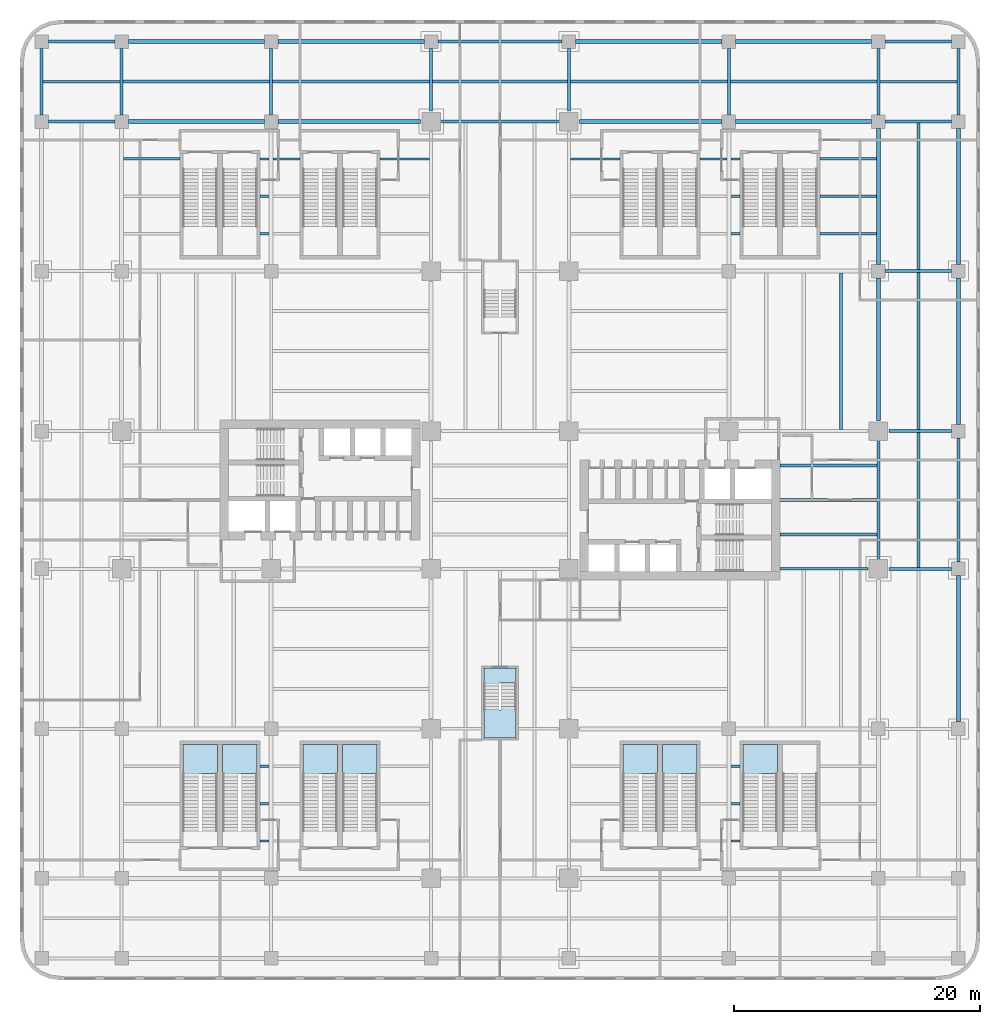
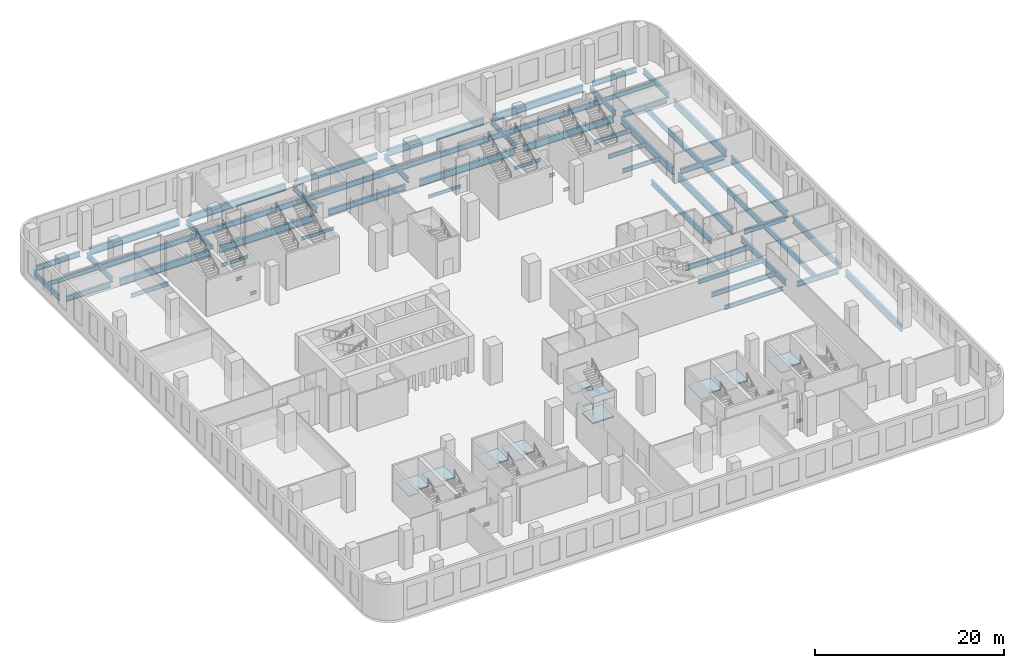
# One storey, part 3 of 17: 67 beams, 10 slabs, 8 elements without a shape of their own.
"""IFC4 building model written with IfcOpenShell, lengths in metres."""

from ifc_helpers import new_model, si_unit, direction, frame, origin, origin_2d, place, context, subcontext, project, spatial, polyline, i_section, outline, extrude, source, transform, mapped, material, layer, layer_set, material_profile, profile_set, type_object, element, aggregate, save


model = new_model("IFC4")

# Units and contexts
model_context = context("Model", 3, precision=1e-05, world=origin(), true_north=direction((0.0, 1.0)))
body_context = subcontext(model_context, "Body", "Model", "MODEL_VIEW")
ifc_project = project(units=[si_unit("LENGTHUNIT", "METRE"), si_unit("AREAUNIT", "SQUARE_METRE"), si_unit("VOLUMEUNIT", "CUBIC_METRE"), si_unit("PLANEANGLEUNIT", "RADIAN"), si_unit("MASSUNIT", "GRAM", prefix="KILO")], contexts=[model_context])

# Site, building, storey
site_placement = place(None, origin())
site = spatial("IfcSite", under=ifc_project, at=site_placement, CompositionType="ELEMENT")
building_placement = place(site_placement, origin())
building = spatial("IfcBuilding", under=site, at=building_placement, Name="Trellis Farm Tower", CompositionType="ELEMENT")
storey_placement = place(building_placement, frame((0.0, 0.0, 19.0)))
storey = spatial("IfcBuildingStorey", under=building, at=storey_placement, Name="L03", CompositionType="ELEMENT", Elevation=19.0)

# Beams
ifc_material_1 = material(Name="Steel S355", Category="steel")
ifc_material_profile_1 = material_profile(ifc_material_1, i_section(OverallWidth=0.2666015625, OverallDepth=0.76220703125, WebThickness=0.014404296875, FlangeThickness=0.021484375, FilletRadius=0.0166015625, at=origin_2d()), Name="UB 762x267x173")
ifc_profile_set_1 = profile_set([ifc_material_profile_1], Name="Steel S355")
beam_type_1 = type_object("IfcBeamType", Name="UB 762x267x173", PredefinedType="BEAM", material=ifc_profile_set_1)
shared_shape_1 = source(origin(), body_context, "Body", "SweptSolid", [
    extrude(i_section(OverallWidth=0.2666015625, OverallDepth=0.76220703125, WebThickness=0.014404296875, FlangeThickness=0.021484375, FilletRadius=0.0166015625, at=origin_2d()), origin(), (0.0, 0.0, 1.0), 9.5),
])
for number, where, z_axis, x_axis, name in (
    (1, (-4.75, 30.75, -0.68115234375), (1.0, 0.0, 0.0), (0.0, 1.0, 0.0), "Girder"),
    (2, (30.75, -4.75, -0.68115234375), (0.0, 1.0, 0.0), (-1.0, 0.0, 0.0), "Girder"),
):
    element("IfcBeam", number, at=place(storey_placement, frame(where, z_axis=z_axis, x_axis=x_axis)), inside=storey, type_object=beam_type_1, Name=name, PredefinedType="BEAM", context=body_context, shape_type="MappedRepresentation", body=[
        mapped(shared_shape_1, transform((0.0, 0.0, 0.0))),
    ])
ifc_material_profile_2 = material_profile(ifc_material_1, i_section(OverallWidth=0.253662109375, OverallDepth=0.68359375, WebThickness=0.012451171875, FlangeThickness=0.021728515625, FilletRadius=0.01513671875, at=origin_2d()), Name="UB 686x254x140")
ifc_profile_set_2 = profile_set([ifc_material_profile_2], Name="Steel S355")
beam_type_2 = type_object("IfcBeamType", Name="UB 686x254x140 joist", PredefinedType="JOIST", material=ifc_profile_set_2)
shared_shape_2 = source(origin(), body_context, "Body", "SweptSolid", [
    extrude(i_section(OverallWidth=0.253662109375, OverallDepth=0.68359375, WebThickness=0.012451171875, FlangeThickness=0.021728515625, FilletRadius=0.01513671875, at=origin_2d()), origin(), (0.0, 0.0, 1.0), 12.746337890625),
])
for number, where, z_axis, x_axis, name in (
    (3, (-18.47314453125, 34.0, -0.641845703125), (1.0, 0.0, 0.0), (0.0, 1.0, 0.0), "Floor beam"),
    (4, (5.726806640625, 34.0, -0.641845703125), (1.0, 0.0, 0.0), (0.0, 1.0, 0.0), "Floor beam"),
    (5, (34.0, 5.726806640625, -0.641845703125), (0.0, 1.0, 0.0), (-1.0, 0.0, 0.0), "Floor beam"),
):
    element("IfcBeam", number, at=place(storey_placement, frame(where, z_axis=z_axis, x_axis=x_axis)), inside=storey, type_object=beam_type_2, Name=name, PredefinedType="JOIST", context=body_context, shape_type="MappedRepresentation", body=[
        mapped(shared_shape_2, transform((0.0, 0.0, 0.0))),
    ])
shared_shape_3 = source(origin(), body_context, "Body", "SweptSolid", [
    extrude(i_section(OverallWidth=0.253662109375, OverallDepth=0.68359375, WebThickness=0.012451171875, FlangeThickness=0.021728515625, FilletRadius=0.01513671875, at=origin_2d()), origin(), (0.0, 0.0, 1.0), 11.896240234375),
])
for number, where, z_axis, x_axis, name in (
    (6, (-30.623046875, 34.0, -0.641845703125), (1.0, 0.0, 0.0), (0.0, 1.0, 0.0), "Floor beam"),
    (7, (18.726806640625, 34.0, -0.641845703125), (1.0, 0.0, 0.0), (0.0, 1.0, 0.0), "Floor beam"),
    (8, (34.0, 18.726806640625, -0.641845703125), (0.0, 1.0, 0.0), (-1.0, 0.0, 0.0), "Floor beam"),
):
    element("IfcBeam", number, at=place(storey_placement, frame(where, z_axis=z_axis, x_axis=x_axis)), inside=storey, type_object=beam_type_2, Name=name, PredefinedType="JOIST", context=body_context, shape_type="MappedRepresentation", body=[
        mapped(shared_shape_3, transform((0.0, 0.0, 0.0))),
    ])
ifc_material_profile_3 = material_profile(ifc_material_1, i_section(OverallWidth=0.209228515625, OverallDepth=0.533203125, WebThickness=0.010009765625, FlangeThickness=0.015625, FilletRadius=0.0126953125, at=origin_2d()), Name="UB 533x210x92")
ifc_profile_set_3 = profile_set([ifc_material_profile_3], Name="Steel S355")
beam_type_3 = type_object("IfcBeamType", Name="UB 533x210x92 joist", PredefinedType="JOIST", material=ifc_profile_set_3)
shared_shape_4 = source(origin(), body_context, "Body", "SweptSolid", [
    extrude(i_section(OverallWidth=0.209228515625, OverallDepth=0.533203125, WebThickness=0.010009765625, FlangeThickness=0.015625, FilletRadius=0.0126953125, at=origin_2d()), origin(), (0.0, 0.0, 1.0), 6.246337890625),
])
for number, where, z_axis, x_axis, name in (
    (9, (-37.123291015625, 34.0, -0.56640625), (1.0, 0.0, 0.0), (0.0, 1.0, 0.0), "Floor beam"),
    (10, (30.876953125, 34.0, -0.56640625), (1.0, 0.0, 0.0), (0.0, 1.0, 0.0), "Floor beam"),
):
    element("IfcBeam", number, at=place(storey_placement, frame(where, z_axis=z_axis, x_axis=x_axis)), inside=storey, type_object=beam_type_3, Name=name, PredefinedType="JOIST", context=body_context, shape_type="MappedRepresentation", body=[
        mapped(shared_shape_4, transform((0.0, 0.0, 0.0))),
    ])
shared_shape_5 = source(origin(), body_context, "Body", "SweptSolid", [
    extrude(i_section(OverallWidth=0.253662109375, OverallDepth=0.68359375, WebThickness=0.012451171875, FlangeThickness=0.021728515625, FilletRadius=0.01513671875, at=origin_2d()), origin(), (0.0, 0.0, 1.0), 10.9462890625),
])
for number, where, z_axis, x_axis, name in (
    (11, (-5.47314453125, 34.0, -0.641845703125), (1.0, 0.0, 0.0), (0.0, 1.0, 0.0), "Floor beam"),
    (12, (34.0, -5.47314453125, -0.641845703125), (0.0, 1.0, 0.0), (-1.0, 0.0, 0.0), "Floor beam"),
):
    element("IfcBeam", number, at=place(storey_placement, frame(where, z_axis=z_axis, x_axis=x_axis)), inside=storey, type_object=beam_type_2, Name=name, PredefinedType="JOIST", context=body_context, shape_type="MappedRepresentation", body=[
        mapped(shared_shape_5, transform((0.0, 0.0, 0.0))),
    ])
ifc_material_profile_4 = material_profile(ifc_material_1, i_section(OverallWidth=0.2275390625, OverallDepth=0.6025390625, WebThickness=0.010498046875, FlangeThickness=0.014892578125, FilletRadius=0.0126953125, at=origin_2d()), Name="UB 610x229x101")
ifc_profile_set_4 = profile_set([ifc_material_profile_4], Name="Steel S355")
beam_type_4 = type_object("IfcBeamType", Name="UB 610x229x101 joist", PredefinedType="JOIST", material=ifc_profile_set_4)
shared_shape_6 = source(origin(), body_context, "Body", "SweptSolid", [
    extrude(i_section(OverallWidth=0.2275390625, OverallDepth=0.6025390625, WebThickness=0.010498046875, FlangeThickness=0.014892578125, FilletRadius=0.0126953125, at=origin_2d()), origin(), (0.0, 0.0, 1.0), 7.86669921875),
])
for number, where, z_axis, x_axis, name in (
    (13, (22.75, -2.800048828125, -0.601318359375), (1.0, 0.0, 0.0), (0.0, 1.0, 0.0), "Floor beam"),
    (14, (22.75, 0.0, -0.601318359375), (1.0, 0.0, 0.0), (0.0, 1.0, 0.0), "Floor beam"),
    (15, (22.75, 2.800048828125, -0.601318359375), (1.0, 0.0, 0.0), (0.0, 1.0, 0.0), "Floor beam"),
):
    element("IfcBeam", number, at=place(storey_placement, frame(where, z_axis=z_axis, x_axis=x_axis)), inside=storey, type_object=beam_type_4, Name=name, PredefinedType="JOIST", context=body_context, shape_type="MappedRepresentation", body=[
        mapped(shared_shape_6, transform((0.0, 0.0, 0.0))),
    ])
ifc_material_profile_5 = material_profile(ifc_material_1, i_section(OverallWidth=0.305419921875, OverallDepth=0.91845703125, WebThickness=0.017333984375, FlangeThickness=0.02783203125, FilletRadius=0.01904296875, at=origin_2d()), Name="UB 914x305x253")
ifc_profile_set_5 = profile_set([ifc_material_profile_5], Name="Steel S355")
beam_type_5 = type_object("IfcBeamType", Name="UB 914x305x253", PredefinedType="BEAM", material=ifc_profile_set_5)
shared_shape_7 = source(origin(), body_context, "Body", "SweptSolid", [
    extrude(i_section(OverallWidth=0.305419921875, OverallDepth=0.91845703125, WebThickness=0.017333984375, FlangeThickness=0.02783203125, FilletRadius=0.01904296875, at=origin_2d()), origin(), (0.0, 0.0, 1.0), 11.900146484375),
])
for number, where, z_axis, x_axis, name in (
    (16, (-18.050048828125, 37.25, -0.75927734375), (1.0, 0.0, 0.0), (0.0, 1.0, 0.0), "Girder"),
    (17, (6.14990234375, 37.25, -0.75927734375), (1.0, 0.0, 0.0), (0.0, 1.0, 0.0), "Girder"),
    (18, (37.25, -18.050048828125, -0.75927734375), (0.0, 1.0, 0.0), (-1.0, 0.0, 0.0), "Girder"),
    (19, (37.25, 6.14990234375, -0.75927734375), (0.0, 1.0, 0.0), (-1.0, 0.0, 0.0), "Girder"),
):
    element("IfcBeam", number, at=place(storey_placement, frame(where, z_axis=z_axis, x_axis=x_axis)), inside=storey, type_object=beam_type_5, Name=name, PredefinedType="BEAM", context=body_context, shape_type="MappedRepresentation", body=[
        mapped(shared_shape_7, transform((0.0, 0.0, 0.0))),
    ])
shared_shape_8 = source(origin(), body_context, "Body", "SweptSolid", [
    extrude(i_section(OverallWidth=0.305419921875, OverallDepth=0.91845703125, WebThickness=0.017333984375, FlangeThickness=0.02783203125, FilletRadius=0.01904296875, at=origin_2d()), origin(), (0.0, 0.0, 1.0), 11.050048828125),
])
for number, where, z_axis, x_axis, name in (
    (20, (-30.199951171875, 30.75, -0.75927734375), (1.0, 0.0, 0.0), (0.0, 1.0, 0.0), "Girder"),
    (21, (19.14990234375, 30.75, -0.75927734375), (1.0, 0.0, 0.0), (0.0, 1.0, 0.0), "Girder"),
    (22, (-30.199951171875, 37.25, -0.75927734375), (1.0, 0.0, 0.0), (0.0, 1.0, 0.0), "Girder"),
    (23, (19.14990234375, 37.25, -0.75927734375), (1.0, 0.0, 0.0), (0.0, 1.0, 0.0), "Girder"),
    (24, (30.75, 19.14990234375, -0.75927734375), (0.0, 1.0, 0.0), (-1.0, 0.0, 0.0), "Girder"),
    (25, (37.25, 19.14990234375, -0.75927734375), (0.0, 1.0, 0.0), (-1.0, 0.0, 0.0), "Girder"),
):
    element("IfcBeam", number, at=place(storey_placement, frame(where, z_axis=z_axis, x_axis=x_axis)), inside=storey, type_object=beam_type_5, Name=name, PredefinedType="BEAM", context=body_context, shape_type="MappedRepresentation", body=[
        mapped(shared_shape_8, transform((0.0, 0.0, 0.0))),
    ])
ifc_material_profile_6 = material_profile(ifc_material_1, i_section(OverallWidth=0.253662109375, OverallDepth=0.68359375, WebThickness=0.012451171875, FlangeThickness=0.021728515625, FilletRadius=0.01513671875, at=origin_2d()), Name="UB 686x254x140")
ifc_profile_set_6 = profile_set([ifc_material_profile_6], Name="Steel S355")
beam_type_6 = type_object("IfcBeamType", Name="UB 686x254x140", PredefinedType="BEAM", material=ifc_profile_set_6)
shared_shape_9 = source(origin(), body_context, "Body", "SweptSolid", [
    extrude(i_section(OverallWidth=0.253662109375, OverallDepth=0.68359375, WebThickness=0.012451171875, FlangeThickness=0.021728515625, FilletRadius=0.01513671875, at=origin_2d()), origin(), (0.0, 0.0, 1.0), 5.39990234375),
])
for number, where, z_axis, x_axis, name in (
    (26, (31.300048828125, 18.60009765625, -0.641845703125), (1.0, 0.0, 0.0), (0.0, 1.0, 0.0), "Girder"),
    (27, (-36.699951171875, 30.75, -0.641845703125), (1.0, 0.0, 0.0), (0.0, 1.0, 0.0), "Girder"),
    (28, (31.300048828125, 30.75, -0.641845703125), (1.0, 0.0, 0.0), (0.0, 1.0, 0.0), "Girder"),
    (29, (-36.699951171875, 37.25, -0.641845703125), (1.0, 0.0, 0.0), (0.0, 1.0, 0.0), "Girder"),
    (30, (31.300048828125, 37.25, -0.641845703125), (1.0, 0.0, 0.0), (0.0, 1.0, 0.0), "Girder"),
    (31, (-37.25, 31.300048828125, -0.641845703125), (0.0, 1.0, 0.0), (-1.0, 0.0, 0.0), "Girder"),
    (32, (-30.75, 31.300048828125, -0.641845703125), (0.0, 1.0, 0.0), (-1.0, 0.0, 0.0), "Girder"),
    (33, (-18.60009765625, 31.300048828125, -0.641845703125), (0.0, 1.0, 0.0), (-1.0, 0.0, 0.0), "Girder"),
    (34, (18.60009765625, 31.300048828125, -0.641845703125), (0.0, 1.0, 0.0), (-1.0, 0.0, 0.0), "Girder"),
    (35, (30.75, 31.300048828125, -0.641845703125), (0.0, 1.0, 0.0), (-1.0, 0.0, 0.0), "Girder"),
    (36, (37.25, 31.300048828125, -0.641845703125), (0.0, 1.0, 0.0), (-1.0, 0.0, 0.0), "Girder"),
):
    element("IfcBeam", number, at=place(storey_placement, frame(where, z_axis=z_axis, x_axis=x_axis)), inside=storey, type_object=beam_type_6, Name=name, PredefinedType="BEAM", context=body_context, shape_type="MappedRepresentation", body=[
        mapped(shared_shape_9, transform((0.0, 0.0, 0.0))),
    ])
shared_shape_10 = source(origin(), body_context, "Body", "SweptSolid", [
    extrude(i_section(OverallWidth=0.305419921875, OverallDepth=0.91845703125, WebThickness=0.017333984375, FlangeThickness=0.02783203125, FilletRadius=0.01904296875, at=origin_2d()), origin(), (0.0, 0.0, 1.0), 11.60009765625),
])
for number, where, z_axis, x_axis, name in (
    (37, (-18.050048828125, 30.75, -0.75927734375), (1.0, 0.0, 0.0), (0.0, 1.0, 0.0), "Girder"),
    (38, (6.449951171875, 30.75, -0.75927734375), (1.0, 0.0, 0.0), (0.0, 1.0, 0.0), "Girder"),
    (39, (30.75, 6.449951171875, -0.75927734375), (0.0, 1.0, 0.0), (-1.0, 0.0, 0.0), "Girder"),
):
    element("IfcBeam", number, at=place(storey_placement, frame(where, z_axis=z_axis, x_axis=x_axis)), inside=storey, type_object=beam_type_5, Name=name, PredefinedType="BEAM", context=body_context, shape_type="MappedRepresentation", body=[
        mapped(shared_shape_10, transform((0.0, 0.0, 0.0))),
    ])
shared_shape_11 = source(origin(), body_context, "Body", "SweptSolid", [
    extrude(i_section(OverallWidth=0.253662109375, OverallDepth=0.68359375, WebThickness=0.012451171875, FlangeThickness=0.021728515625, FilletRadius=0.01513671875, at=origin_2d()), origin(), (0.0, 0.0, 1.0), 5.099853515625),
])
for number, where, z_axis, x_axis, name in (
    (40, (31.60009765625, -5.60009765625, -0.641845703125), (1.0, 0.0, 0.0), (0.0, 1.0, 0.0), "Girder"),
    (41, (31.60009765625, 5.60009765625, -0.641845703125), (1.0, 0.0, 0.0), (0.0, 1.0, 0.0), "Girder"),
    (42, (-5.60009765625, 31.60009765625, -0.641845703125), (0.0, 1.0, 0.0), (-1.0, 0.0, 0.0), "Girder"),
    (43, (5.60009765625, 31.60009765625, -0.641845703125), (0.0, 1.0, 0.0), (-1.0, 0.0, 0.0), "Girder"),
):
    element("IfcBeam", number, at=place(storey_placement, frame(where, z_axis=z_axis, x_axis=x_axis)), inside=storey, type_object=beam_type_6, Name=name, PredefinedType="BEAM", context=body_context, shape_type="MappedRepresentation", body=[
        mapped(shared_shape_11, transform((0.0, 0.0, 0.0))),
    ])
ifc_material_profile_7 = material_profile(ifc_material_1, i_section(OverallWidth=0.209228515625, OverallDepth=0.533203125, WebThickness=0.010009765625, FlangeThickness=0.015625, FilletRadius=0.0126953125, at=origin_2d()), Name="UB 533x210x92")
ifc_profile_set_7 = profile_set([ifc_material_profile_7], Name="Steel S355")
beam_type_7 = type_object("IfcBeamType", Name="UB 533x210x92", PredefinedType="BEAM", material=ifc_profile_set_7)
shared_shape_12 = source(origin(), body_context, "Body", "SweptSolid", [
    extrude(i_section(OverallWidth=0.209228515625, OverallDepth=0.533203125, WebThickness=0.010009765625, FlangeThickness=0.015625, FilletRadius=0.0126953125, at=origin_2d()), origin(), (0.0, 0.0, 1.0), 7.14990234375),
])
beam_1_placement = place(storey_placement, frame((22.75, -5.60009765625, -0.56640625), z_axis=(1.0, 0.0, 0.0), x_axis=(0.0, 1.0, 0.0)))
element("IfcBeam", 44, at=beam_1_placement, inside=storey, type_object=beam_type_7, Name="Girder", PredefinedType="BEAM", context=body_context, shape_type="MappedRepresentation", body=[
    mapped(shared_shape_12, transform((0.0, 0.0, 0.0))),
])
shared_shape_13 = source(origin(), body_context, "Body", "SweptSolid", [
    extrude(i_section(OverallWidth=0.2666015625, OverallDepth=0.76220703125, WebThickness=0.014404296875, FlangeThickness=0.021484375, FilletRadius=0.0166015625, at=origin_2d()), origin(), (0.0, 0.0, 1.0), 10.10009765625),
])
for number, where, z_axis, x_axis, name in (
    (45, (-5.050048828125, 37.25, -0.68115234375), (1.0, 0.0, 0.0), (0.0, 1.0, 0.0), "Girder"),
    (46, (37.25, -5.050048828125, -0.68115234375), (0.0, 1.0, 0.0), (-1.0, 0.0, 0.0), "Girder"),
):
    element("IfcBeam", number, at=place(storey_placement, frame(where, z_axis=z_axis, x_axis=x_axis)), inside=storey, type_object=beam_type_1, Name=name, PredefinedType="BEAM", context=body_context, shape_type="MappedRepresentation", body=[
        mapped(shared_shape_13, transform((0.0, 0.0, 0.0))),
    ])
ifc_material_profile_8 = material_profile(ifc_material_1, i_section(OverallWidth=0.177978515625, OverallDepth=0.406494140625, WebThickness=0.0078125, FlangeThickness=0.0126953125, FilletRadius=0.01025390625, at=origin_2d()), Name="UB 406x178x60")
ifc_profile_set_8 = profile_set([ifc_material_profile_8], Name="Steel S355")
beam_type_8 = type_object("IfcBeamType", Name="UB 406x178x60 joist", PredefinedType="JOIST", material=ifc_profile_set_8)
shared_shape_14 = source(origin(), body_context, "Body", "SweptSolid", [
    extrude(i_section(OverallWidth=0.177978515625, OverallDepth=0.406494140625, WebThickness=0.0078125, FlangeThickness=0.0126953125, FilletRadius=0.01025390625, at=origin_2d()), origin(), (0.0, 0.0, 1.0), 4.0166015625),
])
for number, where, z_axis, x_axis, name in (
    (47, (-9.75, 27.71240234375, -0.503173828125), (1.0, 0.0, 0.0), (0.0, 1.0, 0.0), "Floor beam"),
    (48, (5.7333984375, 27.71240234375, -0.503173828125), (1.0, 0.0, 0.0), (0.0, 1.0, 0.0), "Floor beam"),
):
    element("IfcBeam", number, at=place(storey_placement, frame(where, z_axis=z_axis, x_axis=x_axis)), inside=storey, type_object=beam_type_8, Name=name, PredefinedType="JOIST", context=body_context, shape_type="MappedRepresentation", body=[
        mapped(shared_shape_14, transform((0.0, 0.0, 0.0))),
    ])
shared_shape_15 = source(origin(), body_context, "Body", "SweptSolid", [
    extrude(i_section(OverallWidth=0.177978515625, OverallDepth=0.406494140625, WebThickness=0.0078125, FlangeThickness=0.0126953125, FilletRadius=0.01025390625, at=origin_2d()), origin(), (0.0, 0.0, 1.0), 2.197265625),
])
for number, where, z_axis, x_axis, name in (
    (49, (-18.447265625, 27.71240234375, -0.503173828125), (1.0, 0.0, 0.0), (0.0, 1.0, 0.0), "Floor beam"),
    (50, (16.25, 27.71240234375, -0.503173828125), (1.0, 0.0, 0.0), (0.0, 1.0, 0.0), "Floor beam"),
):
    element("IfcBeam", number, at=place(storey_placement, frame(where, z_axis=z_axis, x_axis=x_axis)), inside=storey, type_object=beam_type_8, Name=name, PredefinedType="JOIST", context=body_context, shape_type="MappedRepresentation", body=[
        mapped(shared_shape_15, transform((0.0, 0.0, 0.0))),
    ])
shared_shape_16 = source(origin(), body_context, "Body", "SweptSolid", [
    extrude(i_section(OverallWidth=0.177978515625, OverallDepth=0.406494140625, WebThickness=0.0078125, FlangeThickness=0.0126953125, FilletRadius=0.01025390625, at=origin_2d()), origin(), (0.0, 0.0, 1.0), 0.747314453125),
])
for number, where, z_axis, x_axis, name in (
    (51, (-19.5, -27.71240234375, -0.503173828125), (1.0, 0.0, 0.0), (0.0, 1.0, 0.0), "Floor beam"),
    (52, (18.752685546875, -27.71240234375, -0.503173828125), (1.0, 0.0, 0.0), (0.0, 1.0, 0.0), "Floor beam"),
    (53, (-19.5, -24.675048828125, -0.503173828125), (1.0, 0.0, 0.0), (0.0, 1.0, 0.0), "Floor beam"),
    (54, (18.752685546875, -24.675048828125, -0.503173828125), (1.0, 0.0, 0.0), (0.0, 1.0, 0.0), "Floor beam"),
    (55, (-19.5, -21.637451171875, -0.503173828125), (1.0, 0.0, 0.0), (0.0, 1.0, 0.0), "Floor beam"),
    (56, (18.752685546875, -21.637451171875, -0.503173828125), (1.0, 0.0, 0.0), (0.0, 1.0, 0.0), "Floor beam"),
    (57, (-19.5, 21.637451171875, -0.503173828125), (1.0, 0.0, 0.0), (0.0, 1.0, 0.0), "Floor beam"),
    (58, (18.752685546875, 21.637451171875, -0.503173828125), (1.0, 0.0, 0.0), (0.0, 1.0, 0.0), "Floor beam"),
    (59, (-19.5, 24.675048828125, -0.503173828125), (1.0, 0.0, 0.0), (0.0, 1.0, 0.0), "Floor beam"),
    (60, (18.752685546875, 24.675048828125, -0.503173828125), (1.0, 0.0, 0.0), (0.0, 1.0, 0.0), "Floor beam"),
    (61, (-19.5, 27.71240234375, -0.503173828125), (1.0, 0.0, 0.0), (0.0, 1.0, 0.0), "Floor beam"),
    (62, (18.752685546875, 27.71240234375, -0.503173828125), (1.0, 0.0, 0.0), (0.0, 1.0, 0.0), "Floor beam"),
):
    element("IfcBeam", number, at=place(storey_placement, frame(where, z_axis=z_axis, x_axis=x_axis)), inside=storey, type_object=beam_type_8, Name=name, PredefinedType="JOIST", context=body_context, shape_type="MappedRepresentation", body=[
        mapped(shared_shape_16, transform((0.0, 0.0, 0.0))),
    ])
shared_shape_17 = source(origin(), body_context, "Body", "SweptSolid", [
    extrude(i_section(OverallWidth=0.209228515625, OverallDepth=0.533203125, WebThickness=0.010009765625, FlangeThickness=0.015625, FilletRadius=0.0126953125, at=origin_2d()), origin(), (0.0, 0.0, 1.0), 4.59716796875),
])
for number, where, z_axis, x_axis, name in (
    (63, (26.0, 21.637451171875, -0.56640625), (1.0, 0.0, 0.0), (0.0, 1.0, 0.0), "Floor beam"),
    (64, (26.0, 24.675048828125, -0.56640625), (1.0, 0.0, 0.0), (0.0, 1.0, 0.0), "Floor beam"),
    (65, (-30.59716796875, 27.71240234375, -0.56640625), (1.0, 0.0, 0.0), (0.0, 1.0, 0.0), "Floor beam"),
    (66, (26.0, 27.71240234375, -0.56640625), (1.0, 0.0, 0.0), (0.0, 1.0, 0.0), "Floor beam"),
):
    element("IfcBeam", number, at=place(storey_placement, frame(where, z_axis=z_axis, x_axis=x_axis)), inside=storey, type_object=beam_type_3, Name=name, PredefinedType="JOIST", context=body_context, shape_type="MappedRepresentation", body=[
        mapped(shared_shape_17, transform((0.0, 0.0, 0.0))),
    ])
shared_shape_18 = source(origin(), body_context, "Body", "SweptSolid", [
    extrude(i_section(OverallWidth=0.253662109375, OverallDepth=0.68359375, WebThickness=0.012451171875, FlangeThickness=0.021728515625, FilletRadius=0.01513671875, at=origin_2d()), origin(), (0.0, 0.0, 1.0), 12.7138671875),
])
beam_2_placement = place(storey_placement, frame((27.71240234375, 5.7333984375, -0.641845703125), z_axis=(0.0, 1.0, 0.0), x_axis=(-1.0, 0.0, 0.0)))
element("IfcBeam", 67, at=beam_2_placement, inside=storey, type_object=beam_type_2, Name="Floor beam", PredefinedType="JOIST", context=body_context, shape_type="MappedRepresentation", body=[
    mapped(shared_shape_18, transform((0.0, 0.0, 0.0))),
])

# Stair, slabs
ifc_material_2 = material(Name="Concrete C50/60", Category="concrete")
stair_type_1 = type_object("IfcStairType", Name="CORE EXIT STAIR 36 RISERS 139 MM", PredefinedType="HALF_TURN_STAIR", material=ifc_material_2)
placement_1 = place(storey_placement, origin())
stair_1 = element("IfcStair", 68, at=placement_1, inside=storey, type_object=stair_type_1, Name="Exit stair S", PredefinedType="HALF_TURN_STAIR")
ifc_layer = layer(ifc_material_2, 0.14990234375)
ifc_layer_set = layer_set([ifc_layer], Name="CORE STAIR LANDING 150 CONCRETE C50/60")
slab_type = type_object("IfcSlabType", Name="CORE STAIR LANDING 150 CONCRETE C50/60", PredefinedType="LANDING", material=ifc_layer_set)
shared_shape_19 = source(origin(), body_context, "Body", "SweptSolid", [
    extrude(outline(polyline([(1.300048828125, -19.35009765625), (-1.300048828125, -19.35009765625), (-1.300048828125, -17.050048828125), (-1.300048828125, -17.0400390625), (-0.10009765625, -17.0400390625), (-0.10009765625, -17.050048828125), (0.10009765625, -17.050048828125), (0.10009765625, -16.79052734375), (1.300048828125, -16.79052734375), (1.300048828125, -17.050048828125), (1.300048828125, -19.35009765625)])), origin(), (0.0, 0.0, 1.0), 0.14990234375),
])
slab_1_placement = place(storey_placement, frame((0.0, 0.0, 1.10009765625)))
slab_1 = element("IfcSlab", 69, at=slab_1_placement, type_object=slab_type, Name="STS landing 1", PredefinedType="LANDING", context=body_context, shape_type="MappedRepresentation", body=[
    mapped(shared_shape_19, transform((0.0, 0.0, 0.0))),
])
slab_2_placement = place(storey_placement, frame((0.0, 0.0, 3.60009765625)))
slab_2 = element("IfcSlab", 70, at=slab_2_placement, type_object=slab_type, Name="STS landing 3", PredefinedType="LANDING", context=body_context, shape_type="MappedRepresentation", body=[
    mapped(shared_shape_19, transform((0.0, 0.0, 0.0))),
])
shared_shape_20 = source(origin(), body_context, "Body", "SweptSolid", [
    extrude(outline(polyline([(-0.10009765625, -15.109375), (-1.300048828125, -15.109375), (-1.300048828125, -14.85009765625), (-1.300048828125, -13.64990234375), (1.300048828125, -13.64990234375), (1.300048828125, -14.85009765625), (1.300048828125, -14.860107421875), (0.10009765625, -14.860107421875), (0.10009765625, -14.85009765625), (-0.10009765625, -14.85009765625), (-0.10009765625, -15.109375)])), origin(), (0.0, 0.0, 1.0), 0.14990234375),
])
placement_2 = place(storey_placement, frame((0.0, 0.0, 2.35009765625)))
slab_3 = element("IfcSlab", 71, at=placement_2, type_object=slab_type, Name="STS landing 2", PredefinedType="LANDING", context=body_context, shape_type="MappedRepresentation", body=[
    mapped(shared_shape_20, transform((0.0, 0.0, 0.0))),
])
aggregate(stair_1, [slab_1, slab_3, slab_2])

# Stair, slab
stair_type_2 = type_object("IfcStairType", Name="PODIUM EXIT STAIR 36 RISERS 139 MM 1250 WIDE", PredefinedType="HALF_TURN_STAIR", material=ifc_material_2)
stair_2 = element("IfcStair", 72, at=placement_1, inside=storey, type_object=stair_type_2, Name="Podium exit stair STP5A", PredefinedType="HALF_TURN_STAIR")
shared_shape_21 = source(origin(), body_context, "Body", "SweptSolid", [
    extrude(outline(polyline([(-24.5, -22.793701171875), (-25.75, -22.793701171875), (-25.75, -22.22509765625), (-25.75, -19.85009765625), (-22.969970703125, -19.85009765625), (-22.969970703125, -22.22509765625), (-22.969970703125, -22.235107421875), (-24.219970703125, -22.235107421875), (-24.219970703125, -22.22509765625), (-24.5, -22.22509765625), (-24.5, -22.793701171875)])), origin(), (0.0, 0.0, 1.0), 0.14990234375),
])
slab_4 = element("IfcSlab", 73, at=placement_2, type_object=slab_type, Name="STP5A landing 1", PredefinedType="LANDING", context=body_context, shape_type="MappedRepresentation", body=[
    mapped(shared_shape_21, transform((0.0, 0.0, 0.0))),
])
aggregate(stair_2, [slab_4])

stair_3 = element("IfcStair", 74, at=placement_1, inside=storey, type_object=stair_type_2, Name="Podium exit stair STP5B", PredefinedType="HALF_TURN_STAIR")
shared_shape_22 = source(origin(), body_context, "Body", "SweptSolid", [
    extrude(outline(polyline([(-21.280029296875, -22.793701171875), (-22.530029296875, -22.793701171875), (-22.530029296875, -22.22509765625), (-22.530029296875, -19.85009765625), (-19.75, -19.85009765625), (-19.75, -22.22509765625), (-19.75, -22.235107421875), (-21.0, -22.235107421875), (-21.0, -22.22509765625), (-21.280029296875, -22.22509765625), (-21.280029296875, -22.793701171875)])), origin(), (0.0, 0.0, 1.0), 0.14990234375),
])
slab_5 = element("IfcSlab", 75, at=placement_2, type_object=slab_type, Name="STP5B landing 1", PredefinedType="LANDING", context=body_context, shape_type="MappedRepresentation", body=[
    mapped(shared_shape_22, transform((0.0, 0.0, 0.0))),
])
aggregate(stair_3, [slab_5])

stair_4 = element("IfcStair", 76, at=placement_1, inside=storey, type_object=stair_type_2, Name="Podium exit stair STP6A", PredefinedType="HALF_TURN_STAIR")
shared_shape_23 = source(origin(), body_context, "Body", "SweptSolid", [
    extrude(outline(polyline([(-14.75, -22.793701171875), (-16.0, -22.793701171875), (-16.0, -22.22509765625), (-16.0, -19.85009765625), (-13.219970703125, -19.85009765625), (-13.219970703125, -22.22509765625), (-13.219970703125, -22.235107421875), (-14.469970703125, -22.235107421875), (-14.469970703125, -22.22509765625), (-14.75, -22.22509765625), (-14.75, -22.793701171875)])), origin(), (0.0, 0.0, 1.0), 0.14990234375),
])
slab_6 = element("IfcSlab", 77, at=placement_2, type_object=slab_type, Name="STP6A landing 1", PredefinedType="LANDING", context=body_context, shape_type="MappedRepresentation", body=[
    mapped(shared_shape_23, transform((0.0, 0.0, 0.0))),
])
aggregate(stair_4, [slab_6])

stair_5 = element("IfcStair", 78, at=placement_1, inside=storey, type_object=stair_type_2, Name="Podium exit stair STP6B", PredefinedType="HALF_TURN_STAIR")
shared_shape_24 = source(origin(), body_context, "Body", "SweptSolid", [
    extrude(outline(polyline([(-11.530029296875, -22.793701171875), (-12.780029296875, -22.793701171875), (-12.780029296875, -22.22509765625), (-12.780029296875, -19.85009765625), (-10.0, -19.85009765625), (-10.0, -22.22509765625), (-10.0, -22.235107421875), (-11.25, -22.235107421875), (-11.25, -22.22509765625), (-11.530029296875, -22.22509765625), (-11.530029296875, -22.793701171875)])), origin(), (0.0, 0.0, 1.0), 0.14990234375),
])
slab_7 = element("IfcSlab", 79, at=placement_2, type_object=slab_type, Name="STP6B landing 1", PredefinedType="LANDING", context=body_context, shape_type="MappedRepresentation", body=[
    mapped(shared_shape_24, transform((0.0, 0.0, 0.0))),
])
aggregate(stair_5, [slab_7])

stair_6 = element("IfcStair", 80, at=placement_1, inside=storey, type_object=stair_type_2, Name="Podium exit stair STP7A", PredefinedType="HALF_TURN_STAIR")
shared_shape_25 = source(origin(), body_context, "Body", "SweptSolid", [
    extrude(outline(polyline([(11.25, -22.793701171875), (10.0, -22.793701171875), (10.0, -22.22509765625), (10.0, -19.85009765625), (12.780029296875, -19.85009765625), (12.780029296875, -22.22509765625), (12.780029296875, -22.235107421875), (11.530029296875, -22.235107421875), (11.530029296875, -22.22509765625), (11.25, -22.22509765625), (11.25, -22.793701171875)])), origin(), (0.0, 0.0, 1.0), 0.14990234375),
])
slab_8 = element("IfcSlab", 81, at=placement_2, type_object=slab_type, Name="STP7A landing 1", PredefinedType="LANDING", context=body_context, shape_type="MappedRepresentation", body=[
    mapped(shared_shape_25, transform((0.0, 0.0, 0.0))),
])
aggregate(stair_6, [slab_8])

stair_7 = element("IfcStair", 82, at=placement_1, inside=storey, type_object=stair_type_2, Name="Podium exit stair STP7B", PredefinedType="HALF_TURN_STAIR")
shared_shape_26 = source(origin(), body_context, "Body", "SweptSolid", [
    extrude(outline(polyline([(14.469970703125, -22.793701171875), (13.219970703125, -22.793701171875), (13.219970703125, -22.22509765625), (13.219970703125, -19.85009765625), (16.0, -19.85009765625), (16.0, -22.22509765625), (16.0, -22.235107421875), (14.75, -22.235107421875), (14.75, -22.22509765625), (14.469970703125, -22.22509765625), (14.469970703125, -22.793701171875)])), origin(), (0.0, 0.0, 1.0), 0.14990234375),
])
slab_9 = element("IfcSlab", 83, at=placement_2, type_object=slab_type, Name="STP7B landing 1", PredefinedType="LANDING", context=body_context, shape_type="MappedRepresentation", body=[
    mapped(shared_shape_26, transform((0.0, 0.0, 0.0))),
])
aggregate(stair_7, [slab_9])

stair_8 = element("IfcStair", 84, at=placement_1, inside=storey, type_object=stair_type_2, Name="Podium exit stair STP8A", PredefinedType="HALF_TURN_STAIR")
shared_shape_27 = source(origin(), body_context, "Body", "SweptSolid", [
    extrude(outline(polyline([(21.0, -22.793701171875), (19.75, -22.793701171875), (19.75, -22.22509765625), (19.75, -19.85009765625), (22.530029296875, -19.85009765625), (22.530029296875, -22.22509765625), (22.530029296875, -22.235107421875), (21.280029296875, -22.235107421875), (21.280029296875, -22.22509765625), (21.0, -22.22509765625), (21.0, -22.793701171875)])), origin(), (0.0, 0.0, 1.0), 0.14990234375),
])
slab_10 = element("IfcSlab", 85, at=placement_2, type_object=slab_type, Name="STP8A landing 1", PredefinedType="LANDING", context=body_context, shape_type="MappedRepresentation", body=[
    mapped(shared_shape_27, transform((0.0, 0.0, 0.0))),
])
aggregate(stair_8, [slab_10])

save(model, "model.ifc")
